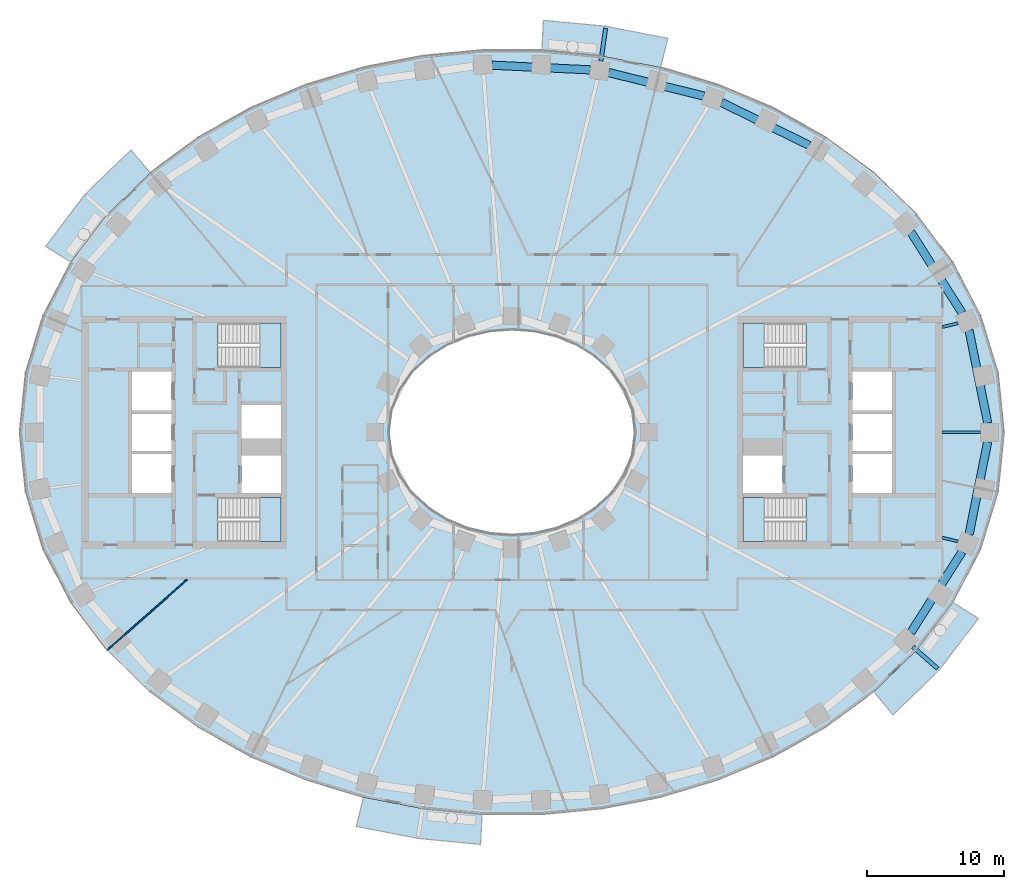
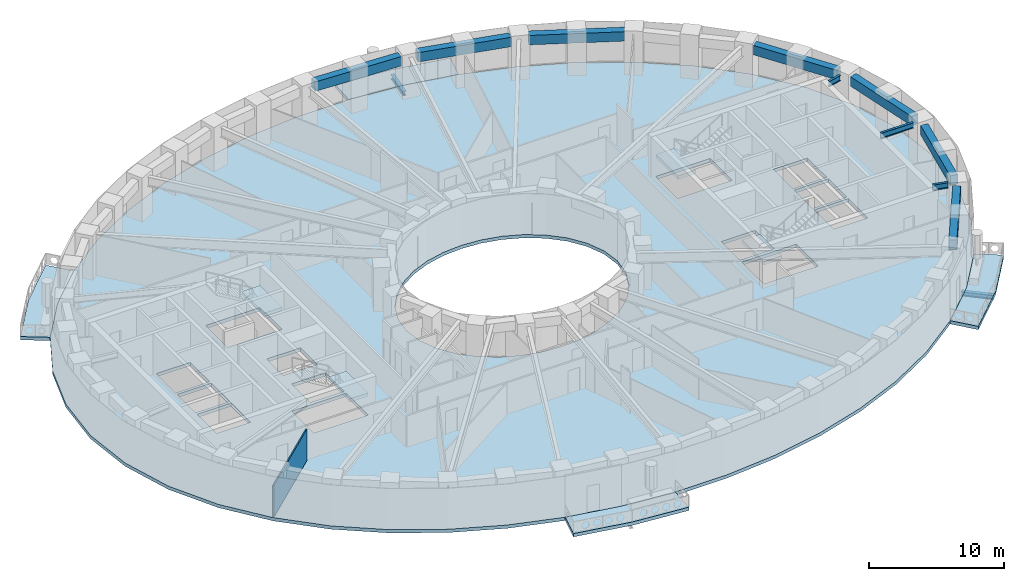
# One storey, part 2 of 16: 12 beams, 9 slabs, 1 wall, 4 elements without a shape of their own.
"""IFC4 building model written with IfcOpenShell, lengths in metres."""

from ifc_helpers import new_model, si_unit, direction, frame, frame_2d, origin, origin_2d, place, context, subcontext, project, spatial, polyline, rectangle, i_section, outline, extrude, material, layer, layer_set, material_profile, profile_set, type_object, element, aggregate, save


model = new_model("IFC4")

# Units and contexts
model_context = context("Model", 3, precision=1e-05, world=origin(), true_north=direction((0.0, 1.0)))
body_context = subcontext(model_context, "Body", "Model", "MODEL_VIEW")
ifc_project = project(units=[si_unit("LENGTHUNIT", "METRE"), si_unit("AREAUNIT", "SQUARE_METRE"), si_unit("VOLUMEUNIT", "CUBIC_METRE"), si_unit("PLANEANGLEUNIT", "RADIAN"), si_unit("MASSUNIT", "GRAM", prefix="KILO")], contexts=[model_context])

# Site, building, storey
site_placement = place(None, origin())
site = spatial("IfcSite", under=ifc_project, at=site_placement, CompositionType="ELEMENT")
building_placement = place(site_placement, origin())
building = spatial("IfcBuilding", under=site, at=building_placement, Name="Noorbagh Ring Tower", CompositionType="ELEMENT")
storey_placement = place(building_placement, frame((0.0, 0.0, 58.5)))
storey = spatial("IfcBuildingStorey", under=building, at=storey_placement, Name="L12", CompositionType="ELEMENT", Elevation=58.5)

# Beams
ifc_material_1 = material(Name="Steel S355", Category="steel")
ifc_material_profile_1 = material_profile(ifc_material_1, i_section(OverallWidth=0.300048828125, OverallDepth=0.39990234375, WebThickness=0.013427734375, FlangeThickness=0.02392578125, FilletRadius=0.027099609375, at=origin_2d()), Name="HEB400")
ifc_profile_set_1 = profile_set([ifc_material_profile_1], Name="Steel S355")
beam_type_1 = type_object("IfcBeamType", Name="STR-BALCONY-BRACKET-HEB400", PredefinedType="BEAM", material=ifc_profile_set_1)
beam_1_placement = place(storey_placement, frame((6.506591796875, 27.163818359375, -0.5), z_axis=(0.143028732143, 0.989718536646, 0.0), x_axis=(-0.989718536646, 0.143028732143, 0.0)))
element("IfcBeam", 1, at=beam_1_placement, inside=storey, type_object=beam_type_1, Name="Balcony bracket beam BN03", PredefinedType="BEAM", context=body_context, shape_type="SweptSolid", body=[
    extrude(i_section(OverallWidth=0.300048828125, OverallDepth=0.39990234375, WebThickness=0.013427734375, FlangeThickness=0.02392578125, FilletRadius=0.027099609375, at=origin_2d()), origin(), (0.0, 0.0, 1.0), 2.423828125),
])
beam_2_placement = place(storey_placement, frame((29.328125, -15.680908203125, -0.5), z_axis=(0.74904259367, -0.662521843314, 0.0), x_axis=(0.662521843314, 0.74904259367, 0.0)))
element("IfcBeam", 2, at=beam_2_placement, inside=storey, type_object=beam_type_1, Name="Balcony bracket beam BS06", PredefinedType="BEAM", context=body_context, shape_type="SweptSolid", body=[
    extrude(i_section(OverallWidth=0.300048828125, OverallDepth=0.39990234375, WebThickness=0.013427734375, FlangeThickness=0.02392578125, FilletRadius=0.027099609375, at=origin_2d()), origin(), (0.0, 0.0, 1.0), 2.429443359375),
])
ifc_material_2 = material(Name="Steel S355", Category="steel")
ifc_material_profile_2 = material_profile(ifc_material_2, i_section(OverallWidth=0.199951171875, OverallDepth=0.5, WebThickness=0.01025390625, FlangeThickness=0.01611328125, FilletRadius=0.02099609375, at=origin_2d()), Name="IPE500")
ifc_profile_set_2 = profile_set([ifc_material_profile_2], Name="Steel S355")
beam_type_2 = type_object("IfcBeamType", Name="STR-RAD-IPE500", PredefinedType="BEAM", material=ifc_profile_set_2)
beam_3_placement = place(storey_placement, frame((34.2646484375, 0.0, 3.449951171875), z_axis=(-1.0, 0.0, 0.0), x_axis=(0.0, -1.0, 0.0)))
element("IfcBeam", 3, at=beam_3_placement, inside=storey, type_object=beam_type_2, Name="L12/bm/RD01", PredefinedType="BEAM", context=body_context, shape_type="SweptSolid", body=[
    extrude(i_section(OverallWidth=0.199951171875, OverallDepth=0.5, WebThickness=0.01025390625, FlangeThickness=0.01611328125, FilletRadius=0.02099609375, at=origin_2d()), origin(), (0.0, 0.0, 1.0), 2.78466796875),
])
for number, where, z_axis, x_axis, name in (
    (4, (32.636962890625, 7.98583984375, 3.449951171875), (-0.971348532858, -0.237659478485, 0.0), (0.237659478485, -0.971348532858, 0.0), "L12/bm/RD03"),
    (5, (32.636962890625, -7.98583984375, 3.449951171875), (-0.971348532858, 0.237659478485, 0.0), (-0.237659478485, -0.971348532858, 0.0), "L12/bm/RD45"),
):
    element("IfcBeam", number, at=place(storey_placement, frame(where, z_axis=z_axis, x_axis=x_axis)), inside=storey, type_object=beam_type_2, Name=name, PredefinedType="BEAM", context=body_context, shape_type="SweptSolid", body=[
        extrude(i_section(OverallWidth=0.199951171875, OverallDepth=0.5, WebThickness=0.01025390625, FlangeThickness=0.01611328125, FilletRadius=0.02099609375, at=origin_2d()), origin(), (0.0, 0.0, 1.0), 1.190673828125),
    ])
ifc_material_3 = material(Name="Concrete C40/50", Category="concrete")
ifc_material_profile_3 = material_profile(ifc_material_3, rectangle(XDim=0.60009765625, YDim=0.85009765625, at=origin_2d()), Name="RC600x850")
ifc_profile_set_3 = profile_set([ifc_material_profile_3], Name="Concrete C40/50")
beam_type_3 = type_object("IfcBeamType", Name="STR-SB-RC600x850-C40-50", PredefinedType="BEAM", material=ifc_profile_set_3)
beam_4_placement = place(storey_placement, frame((34.807861328125, 0.680419921875, 3.27490234375), z_axis=(-0.197227762478, 0.980357694777, 0.0), x_axis=(-0.980357694777, -0.197227762478, 0.0)))
element("IfcBeam", 6, at=beam_4_placement, inside=storey, type_object=beam_type_3, Name="L12/bm/SP01", PredefinedType="BEAM", context=body_context, shape_type="SweptSolid", body=[
    extrude(rectangle(XDim=0.60009765625, YDim=0.85009765625, at=origin_2d()), origin(), (0.0, 0.0, 1.0), 6.92578125),
])
beam_5_placement = place(storey_placement, frame((32.935302734375, 8.733154296875, 3.27490234375), z_axis=(-0.535200543046, 0.844725031429, 0.0), x_axis=(-0.844725031429, -0.535200543046, 0.0)))
element("IfcBeam", 7, at=beam_5_placement, inside=storey, type_object=beam_type_3, Name="L12/bm/SP03", PredefinedType="BEAM", context=body_context, shape_type="SweptSolid", body=[
    extrude(rectangle(XDim=0.60009765625, YDim=0.85009765625, at=origin_2d()), origin(), (0.0, 0.0, 1.0), 7.002685546875),
])
beam_6_placement = place(storey_placement, frame((21.746826171875, 21.000732421875, 3.27490234375), z_axis=(-0.898400530475, 0.43917705637, 0.0), x_axis=(-0.43917705637, -0.898400530475, 0.0)))
element("IfcBeam", 8, at=beam_6_placement, inside=storey, type_object=beam_type_3, Name="L12/bm/SP07", PredefinedType="BEAM", context=body_context, shape_type="SweptSolid", body=[
    extrude(rectangle(XDim=0.60009765625, YDim=0.85009765625, at=origin_2d()), origin(), (0.0, 0.0, 1.0), 7.14892578125),
])
beam_7_placement = place(storey_placement, frame((14.045654296875, 24.604736328125, 3.27490234375), z_axis=(-0.970828401591, 0.239775342069, 0.0), x_axis=(-0.239775342069, -0.970828401591, 0.0)))
element("IfcBeam", 9, at=beam_7_placement, inside=storey, type_object=beam_type_3, Name="L12/bm/SP09", PredefinedType="BEAM", context=body_context, shape_type="SweptSolid", body=[
    extrude(rectangle(XDim=0.60009765625, YDim=0.85009765625, at=origin_2d()), origin(), (0.0, 0.0, 1.0), 7.182373046875),
])
beam_8_placement = place(storey_placement, frame((5.726806640625, 26.5234375, 3.27490234375), z_axis=(-0.998869595741, 0.047534521183, 0.0), x_axis=(-0.047534521183, -0.998869595741, 0.0)))
element("IfcBeam", 10, at=beam_8_placement, inside=storey, type_object=beam_type_3, Name="L12/bm/SP11", PredefinedType="BEAM", context=body_context, shape_type="SweptSolid", body=[
    extrude(rectangle(XDim=0.60009765625, YDim=0.85009765625, at=origin_2d()), origin(), (0.0, 0.0, 1.0), 7.195556640625),
])
beam_9_placement = place(storey_placement, frame((29.1875, -14.6484375, 3.27490234375), z_axis=(0.535200543046, 0.844725031429, 0.0), x_axis=(-0.844725031429, 0.535200543046, 0.0)))
element("IfcBeam", 11, at=beam_9_placement, inside=storey, type_object=beam_type_3, Name="L12/bm/SP43", PredefinedType="BEAM", context=body_context, shape_type="SweptSolid", body=[
    extrude(rectangle(XDim=0.60009765625, YDim=0.85009765625, at=origin_2d()), origin(), (0.0, 0.0, 1.0), 7.002685546875),
])
beam_10_placement = place(storey_placement, frame((33.44189453125, -7.47021484375, 3.27490234375), z_axis=(0.197227762478, 0.980357694777, 0.0), x_axis=(-0.980357694777, 0.197227762478, 0.0)))
element("IfcBeam", 12, at=beam_10_placement, inside=storey, type_object=beam_type_3, Name="L12/bm/SP45", PredefinedType="BEAM", context=body_context, shape_type="SweptSolid", body=[
    extrude(rectangle(XDim=0.60009765625, YDim=0.85009765625, at=origin_2d()), origin(), (0.0, 0.0, 1.0), 6.92578125),
])

# Stair, slab
ifc_material_4 = material(Name="Concrete C40/50", Category="concrete")
stair_type = type_object("IfcStairType", Name="CORE-STAIR", PredefinedType="HALF_TURN_STAIR", material=ifc_material_4)
stair_1_placement = place(storey_placement, origin())
stair_1 = element("IfcStair", 13, at=stair_1_placement, inside=storey, type_object=stair_type, Name="L12 Exit stair ST1", PredefinedType="HALF_TURN_STAIR")
ifc_material_5 = material(Name="Concrete C40/50", Category="concrete")
ifc_layer_1 = layer(ifc_material_5, 0.300048828125)
ifc_layer_set_1 = layer_set([ifc_layer_1], Name="Concrete C40/50")
slab_type_1 = type_object("IfcSlabType", Name="CORE-STAIR-LANDING", PredefinedType="LANDING", material=ifc_layer_set_1)
slab_1_placement = place(storey_placement, frame((0.0, 0.0, 1.699951171875)))
slab_1 = element("IfcSlab", 14, at=slab_1_placement, type_object=slab_type_1, Name="ST1 landing 1", PredefinedType="LANDING", context=body_context, shape_type="SweptSolid", body=[
    extrude(outline(polyline([(-18.449951171875, 4.75), (-16.89990234375, 4.75), (-16.89990234375, 8.0), (-18.449951171875, 8.0), (-18.449951171875, 4.75)])), origin(), (0.0, 0.0, 1.0), 0.300048828125),
])
aggregate(stair_1, [slab_1])

stair_2_placement = place(storey_placement, origin())
stair_2 = element("IfcStair", 15, at=stair_2_placement, inside=storey, type_object=stair_type, Name="L12 Exit stair ST2", PredefinedType="HALF_TURN_STAIR")
slab_2_placement = place(storey_placement, frame((0.0, 0.0, 1.699951171875)))
slab_2 = element("IfcSlab", 16, at=slab_2_placement, type_object=slab_type_1, Name="ST2 landing 1", PredefinedType="LANDING", context=body_context, shape_type="SweptSolid", body=[
    extrude(outline(polyline([(-18.449951171875, -8.0), (-16.89990234375, -8.0), (-16.89990234375, -4.75), (-18.449951171875, -4.75), (-18.449951171875, -8.0)])), origin(), (0.0, 0.0, 1.0), 0.300048828125),
])
aggregate(stair_2, [slab_2])

stair_3_placement = place(storey_placement, origin())
stair_3 = element("IfcStair", 17, at=stair_3_placement, inside=storey, type_object=stair_type, Name="L12 Exit stair ST3", PredefinedType="HALF_TURN_STAIR")
slab_3_placement = place(storey_placement, frame((0.0, 0.0, 1.699951171875)))
slab_3 = element("IfcSlab", 18, at=slab_3_placement, type_object=slab_type_1, Name="ST3 landing 1", PredefinedType="LANDING", context=body_context, shape_type="SweptSolid", body=[
    extrude(outline(polyline([(18.449951171875, 8.0), (16.89990234375, 8.0), (16.89990234375, 4.75), (18.449951171875, 4.75), (18.449951171875, 8.0)])), origin(), (0.0, 0.0, 1.0), 0.300048828125),
])
aggregate(stair_3, [slab_3])

stair_4_placement = place(storey_placement, origin())
stair_4 = element("IfcStair", 19, at=stair_4_placement, inside=storey, type_object=stair_type, Name="L12 Exit stair ST4", PredefinedType="HALF_TURN_STAIR")
slab_4_placement = place(storey_placement, frame((0.0, 0.0, 1.699951171875)))
slab_4 = element("IfcSlab", 20, at=slab_4_placement, type_object=slab_type_1, Name="ST4 landing 1", PredefinedType="LANDING", context=body_context, shape_type="SweptSolid", body=[
    extrude(outline(polyline([(18.449951171875, -4.75), (16.89990234375, -4.75), (16.89990234375, -8.0), (18.449951171875, -8.0), (18.449951171875, -4.75)])), origin(), (0.0, 0.0, 1.0), 0.300048828125),
])
aggregate(stair_4, [slab_4])

# Slabs
ifc_material_6 = material(Name="Concrete C40/50", Category="concrete")
ifc_layer_2 = layer(ifc_material_6, 0.300048828125)
ifc_layer_set_2 = layer_set([ifc_layer_2], Name="Concrete C40/50")
slab_type_2 = type_object("IfcSlabType", Name="ENV-BALCONY DECK 300", PredefinedType="FLOOR", material=ifc_layer_set_2)
slab_5_placement = place(storey_placement, frame((0.0, 0.0, -0.300048828125)))
element("IfcSlab", 21, at=slab_5_placement, inside=storey, type_object=slab_type_2, Name="Tree balcony deck BN03", PredefinedType="FLOOR", context=body_context, shape_type="SweptSolid", body=[
    extrude(outline(polyline([(11.3935546875, 28.832763671875), (6.874755859375, 29.711181640625), (2.2978515625, 30.14794921875), (2.193115234375, 27.947998046875), (6.5595703125, 27.53125), (10.865234375, 26.6943359375), (11.3935546875, 28.832763671875)])), origin(), (0.0, 0.0, 1.0), 0.300048828125),
])
slab_6_placement = place(storey_placement, frame((0.0, 0.0, -0.300048828125)))
element("IfcSlab", 22, at=slab_6_placement, inside=storey, type_object=slab_type_2, Name="Tree balcony deck BN06", PredefinedType="FLOOR", context=body_context, shape_type="SweptSolid", body=[
    extrude(outline(polyline([(-27.888671875, 20.665771484375), (-31.26025390625, 17.389892578125), (-34.120361328125, 13.615966796875), (-32.255126953125, 12.434814453125), (-29.607666015625, 15.92822265625), (-26.463134765625, 18.983154296875), (-27.888671875, 20.665771484375)])), origin(), (0.0, 0.0, 1.0), 0.300048828125),
])
slab_7_placement = place(storey_placement, frame((0.0, 0.0, -0.300048828125)))
element("IfcSlab", 23, at=slab_7_placement, inside=storey, type_object=slab_type_2, Name="Tree balcony deck BS03", PredefinedType="FLOOR", context=body_context, shape_type="SweptSolid", body=[
    extrude(outline(polyline([(-11.3935546875, -28.832763671875), (-6.874755859375, -29.711181640625), (-2.2978515625, -30.14794921875), (-2.193115234375, -27.947998046875), (-6.5595703125, -27.53125), (-10.865234375, -26.6943359375), (-11.3935546875, -28.832763671875)])), origin(), (0.0, 0.0, 1.0), 0.300048828125),
])
slab_8_placement = place(storey_placement, frame((0.0, 0.0, -0.300048828125)))
element("IfcSlab", 24, at=slab_8_placement, inside=storey, type_object=slab_type_2, Name="Tree balcony deck BS06", PredefinedType="FLOOR", context=body_context, shape_type="SweptSolid", body=[
    extrude(outline(polyline([(27.888671875, -20.665771484375), (31.26025390625, -17.389892578125), (34.120361328125, -13.615966796875), (32.255126953125, -12.434814453125), (29.607666015625, -15.92822265625), (26.463134765625, -18.983154296875), (27.888671875, -20.665771484375)])), origin(), (0.0, 0.0, 1.0), 0.300048828125),
])
ifc_material_7 = material(Name="Concrete C40/50", Category="concrete")
ifc_layer_3 = layer(ifc_material_7, 0.300048828125)
ifc_layer_set_3 = layer_set([ifc_layer_3], Name="Concrete C40/50")
slab_type_3 = type_object("IfcSlabType", Name="STR-FLOOR-DECK-300", PredefinedType="FLOOR", material=ifc_layer_set_3)
slab_9_placement = place(storey_placement, frame((0.0, 0.0, -0.300048828125)))
element("IfcSlab", 25, at=slab_9_placement, inside=storey, type_object=slab_type_3, Name="L12/slab/1", PredefinedType="FLOOR", context=body_context, shape_type="SweptSolid", body=[
    extrude(outline(polyline([(36.0, 0.0), (35.56103515625, 4.358642578125), (34.281005859375, 8.548828125), (32.255126953125, 12.434814453125), (29.607666015625, 15.92822265625), (26.463134765625, 18.983154296875), (22.9326171875, 21.583740234375), (19.108154296875, 23.730224609375), (15.0654296875, 25.430419921875), (10.865234375, 26.6943359375), (6.5595703125, 27.53125), (2.193115234375, 27.947998046875), (-2.193115234375, 27.947998046875), (-6.5595703125, 27.53125), (-10.865234375, 26.6943359375), (-15.0654296875, 25.430419921875), (-19.108154296875, 23.730224609375), (-22.9326171875, 21.583740234375), (-26.463134765625, 18.983154296875), (-29.607666015625, 15.92822265625), (-32.255126953125, 12.434814453125), (-34.281005859375, 8.548828125), (-35.56103515625, 4.358642578125), (-36.0, 0.0), (-35.56103515625, -4.358642578125), (-34.281005859375, -8.548828125), (-32.255126953125, -12.434814453125), (-29.607666015625, -15.92822265625), (-26.463134765625, -18.983154296875), (-22.9326171875, -21.583740234375), (-19.108154296875, -23.730224609375), (-15.0654296875, -25.430419921875), (-10.865234375, -26.6943359375), (-6.5595703125, -27.53125), (-2.193115234375, -27.947998046875), (2.193115234375, -27.947998046875), (6.5595703125, -27.53125), (10.865234375, -26.6943359375), (15.0654296875, -25.430419921875), (19.108154296875, -23.730224609375), (22.9326171875, -21.583740234375), (26.463134765625, -18.983154296875), (29.607666015625, -15.92822265625), (32.255126953125, -12.434814453125), (34.281005859375, -8.548828125), (35.56103515625, -4.358642578125), (36.0, 0.0)]), holes=[polyline([(24.89990234375, -1.60009765625), (27.800048828125, -1.60009765625), (27.800048828125, -4.449951171875), (24.89990234375, -4.449951171875), (24.89990234375, -1.60009765625)]), polyline([(24.89990234375, 1.35009765625), (27.800048828125, 1.35009765625), (27.800048828125, -1.35009765625), (24.89990234375, -1.35009765625), (24.89990234375, 1.35009765625)]), polyline([(24.89990234375, 4.449951171875), (27.800048828125, 4.449951171875), (27.800048828125, 1.60009765625), (24.89990234375, 1.60009765625), (24.89990234375, 4.449951171875)]), polyline([(21.529541015625, -4.75), (21.529541015625, -8.0), (16.89990234375, -8.0), (16.89990234375, -4.75), (21.529541015625, -4.75)]), polyline([(21.529541015625, 4.75), (16.89990234375, 4.75), (16.89990234375, 8.0), (21.529541015625, 8.0), (21.529541015625, 4.75)]), polyline([(16.89990234375, -1.699951171875), (19.800048828125, -1.699951171875), (19.800048828125, -4.449951171875), (16.89990234375, -4.449951171875), (16.89990234375, -1.699951171875)]), polyline([(4.697509765625, -6.3974609375), (3.196533203125, -7.010986328125), (1.6171875, -7.3779296875), (0.0, -7.5), (-1.6171875, -7.3779296875), (-3.196533203125, -7.010986328125), (-4.697509765625, -6.3974609375), (-6.071044921875, -5.53662109375), (-7.2587890625, -4.43408203125), (-8.1904296875, -3.10888671875), (-8.79150390625, -1.605224609375), (-9.0, 0.0), (-8.79150390625, 1.605224609375), (-8.1904296875, 3.10888671875), (-7.2587890625, 4.43408203125), (-6.071044921875, 5.53662109375), (-4.697509765625, 6.3974609375), (-3.196533203125, 7.010986328125), (-1.6171875, 7.3779296875), (0.0, 7.5), (1.6171875, 7.3779296875), (3.196533203125, 7.010986328125), (4.697509765625, 6.3974609375), (6.071044921875, 5.53662109375), (7.2587890625, 4.43408203125), (8.1904296875, 3.10888671875), (8.79150390625, 1.605224609375), (9.0, 0.0), (8.79150390625, -1.605224609375), (8.1904296875, -3.10888671875), (7.2587890625, -4.43408203125), (6.071044921875, -5.53662109375), (4.697509765625, -6.3974609375)]), polyline([(-21.529541015625, -8.0), (-21.529541015625, -4.75), (-16.89990234375, -4.75), (-16.89990234375, -8.0), (-21.529541015625, -8.0)]), polyline([(-21.529541015625, 8.0), (-16.89990234375, 8.0), (-16.89990234375, 4.75), (-21.529541015625, 4.75), (-21.529541015625, 8.0)]), polyline([(-16.89990234375, -4.449951171875), (-19.800048828125, -4.449951171875), (-19.800048828125, -1.699951171875), (-16.89990234375, -1.699951171875), (-16.89990234375, -4.449951171875)]), polyline([(-16.89990234375, -0.449951171875), (-19.800048828125, -0.449951171875), (-19.800048828125, 2.0), (-16.89990234375, 2.0), (-16.89990234375, -0.449951171875)]), polyline([(-24.89990234375, -4.449951171875), (-27.800048828125, -4.449951171875), (-27.800048828125, -1.60009765625), (-24.89990234375, -1.60009765625), (-24.89990234375, -4.449951171875)]), polyline([(-24.89990234375, -1.35009765625), (-27.800048828125, -1.35009765625), (-27.800048828125, 1.35009765625), (-24.89990234375, 1.35009765625), (-24.89990234375, -1.35009765625)]), polyline([(-24.89990234375, 1.60009765625), (-27.800048828125, 1.60009765625), (-27.800048828125, 4.449951171875), (-24.89990234375, 4.449951171875), (-24.89990234375, 1.60009765625)])]), origin(), (0.0, 0.0, 1.0), 0.300048828125),
])

# Wall
ifc_material_8 = material(Name="Gypsum board on steel studs", Category="steel")
ifc_layer_4 = layer(ifc_material_8, 0.10009765625)
ifc_layer_set_4 = layer_set([ifc_layer_4], Name="Gypsum board on steel studs")
wall_type = type_object("IfcWallType", Name="PARTITION 100 GYPSUM", PredefinedType="PARTITIONING", material=ifc_layer_set_4)
wall_placement = place(storey_placement, frame((-29.569091796875, -15.89501953125, 0.0), z_axis=(0.0, 0.0, 1.0), x_axis=(0.748985701008, 0.662586160198, 0.0)))
element("IfcWall", 26, at=wall_placement, inside=storey, type_object=wall_type, Name="L12/wall/P06", PredefinedType="PARTITIONING", context=body_context, shape_type="SweptSolid", body=[
    extrude(rectangle(XDim=7.72265625, YDim=0.10009765625, at=frame_2d((3.861328125, 0.0))), origin(), (0.0, 0.0, 1.0), 2.85009765625),
])

save(model, "model.ifc")
